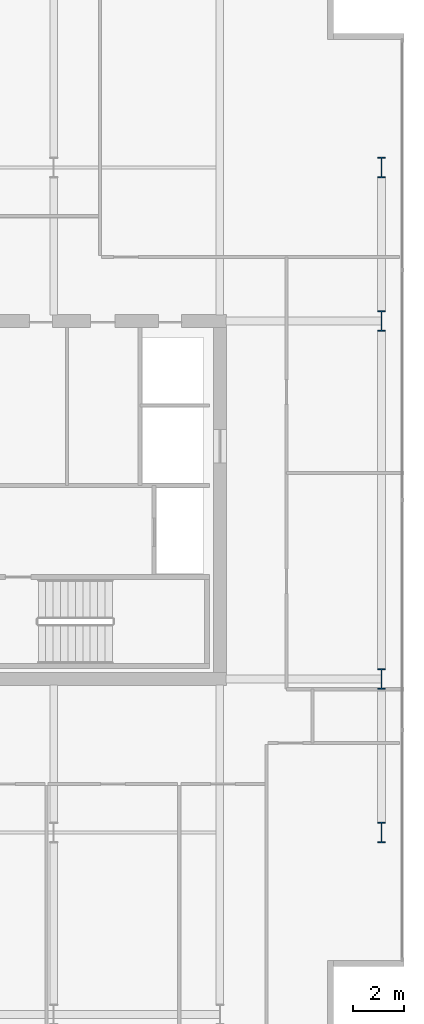
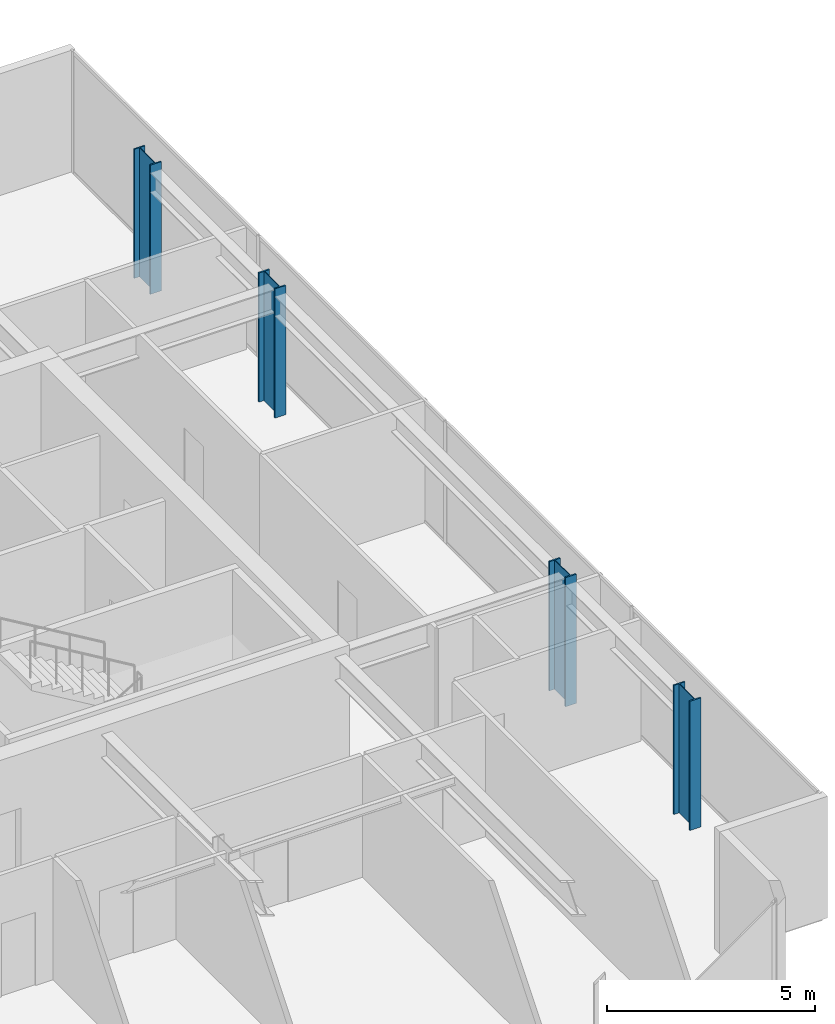
# One storey, part 2 of 24: 4 columns.
"""IFC4 building model written with IfcOpenShell, lengths in metres."""

from ifc_helpers import new_model, si_unit, direction, frame, origin, origin_2d, place, context, subcontext, project, spatial, i_section, extrude, material, material_profile, profile_set, type_object, element, save


model = new_model("IFC4")

# Units and contexts
model_context = context("Model", 3, precision=1e-05, world=origin(), true_north=direction((0.0, 1.0)))
body_context = subcontext(model_context, "Body", "Model", "MODEL_VIEW")
ifc_project = project(units=[si_unit("LENGTHUNIT", "METRE"), si_unit("AREAUNIT", "SQUARE_METRE"), si_unit("VOLUMEUNIT", "CUBIC_METRE"), si_unit("PLANEANGLEUNIT", "RADIAN"), si_unit("MASSUNIT", "GRAM", prefix="KILO")], contexts=[model_context])

# Site, building, storey
site_placement = place(None, origin())
site = spatial("IfcSite", under=ifc_project, at=site_placement, CompositionType="ELEMENT")
building_placement = place(site_placement, origin())
building = spatial("IfcBuilding", under=site, at=building_placement, Name="Putna Gate Headquarters", CompositionType="ELEMENT")
storey_placement = place(building_placement, frame((0.0, 0.0, 236.60009765625)))
storey = spatial("IfcBuildingStorey", under=building, at=storey_placement, Name="L59", CompositionType="ELEMENT", Elevation=236.60009765625)

# Columns
ifc_material = material(Name="Steel S460M", Category="steel")
ifc_material_profile = material_profile(ifc_material, i_section(OverallWidth=0.302978515625, OverallDepth=0.81396484375, WebThickness=0.02099609375, FlangeThickness=0.0400390625, at=origin_2d()), Name="Steel S460M")
ifc_profile_set = profile_set([ifc_material_profile], Name="Steel S460M")
column_type = type_object("IfcColumnType", Name="COL-STL-HEM800-EXT", PredefinedType="COLUMN", material=ifc_profile_set)
for number, where, z_axis, x_axis, name in (
    (1, (71.320068359375, 13.0, 0.0), (0.0, 0.0, 1.0), (1.0, 0.0, 0.0), "L59 Column CP-E13"),
    (2, (71.320068359375, 19.0, 0.0), (0.0, 0.0, 1.0), (1.0, 0.0, 0.0), "L59 Column CP-E19"),
    (3, (71.320068359375, 33.0, 0.0), (0.0, 0.0, 1.0), (1.0, 0.0, 0.0), "L59 Column CP-E33"),
    (4, (71.320068359375, 39.0, 0.0), (0.0, 0.0, 1.0), (1.0, 0.0, 0.0), "L59 Column CP-E39"),
):
    element("IfcColumn", number, at=place(storey_placement, frame(where, z_axis=z_axis, x_axis=x_axis)), inside=storey, type_object=column_type, Name=name, PredefinedType="COLUMN", context=body_context, shape_type="SweptSolid", body=[
        extrude(i_section(OverallWidth=0.302978515625, OverallDepth=0.81396484375, WebThickness=0.02099609375, FlangeThickness=0.0400390625, at=origin_2d()), origin(), (0.0, 0.0, 1.0), 3.7998046875),
    ])

save(model, "model.ifc")
